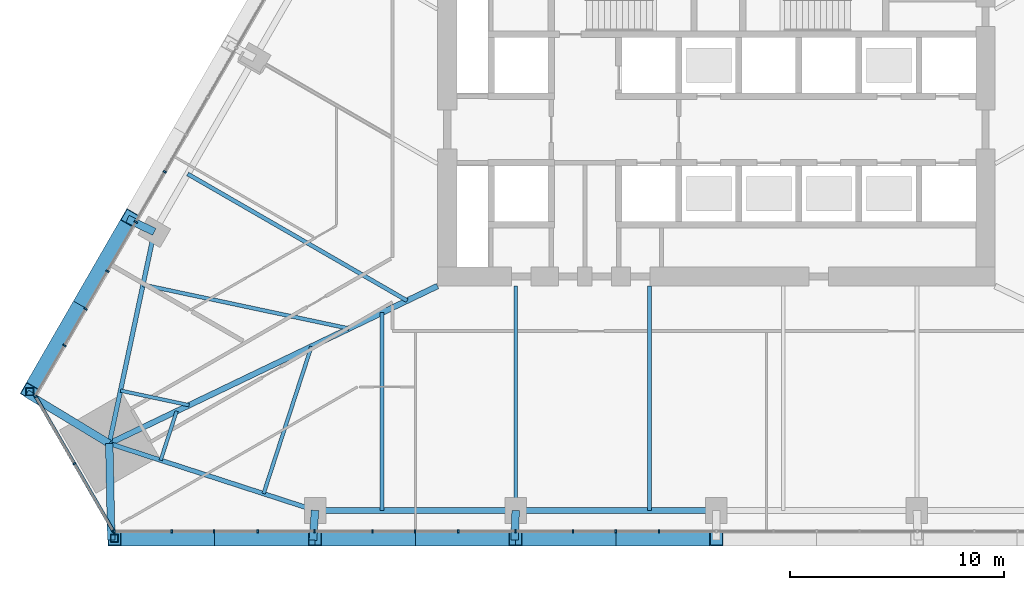
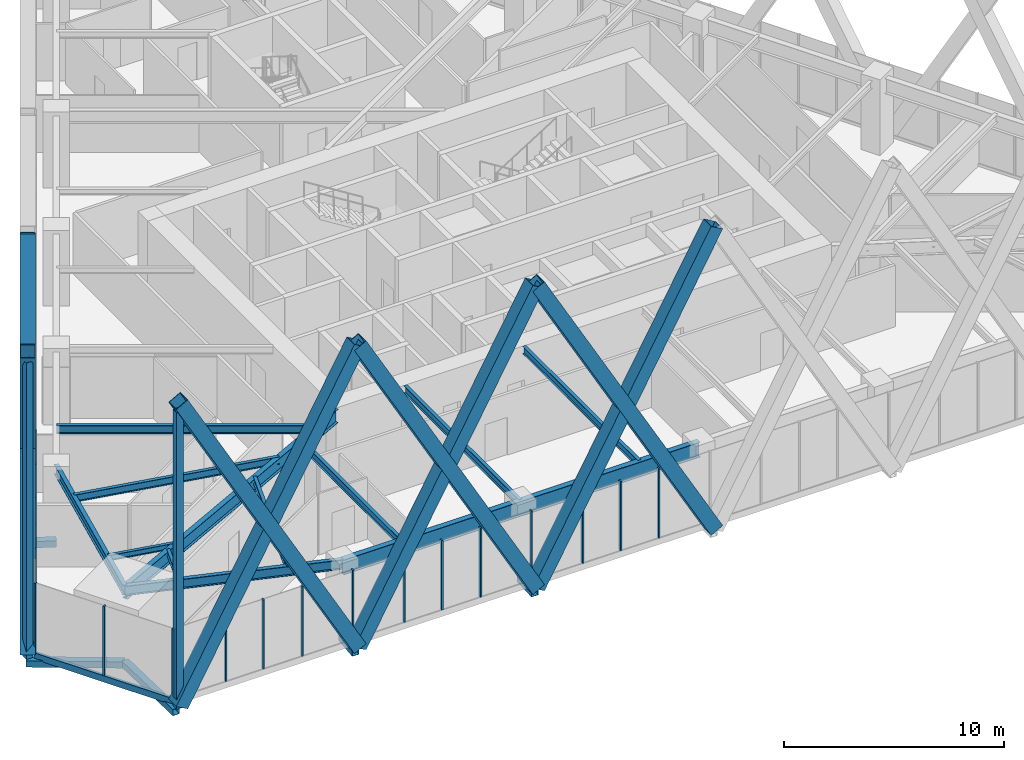
# One storey, part 2 of 21: 36 members, 12 beams, 3 elements without a shape of their own.
"""IFC4 building model written with IfcOpenShell, lengths in metres."""

from ifc_helpers import new_model, si_unit, direction, frame, origin, origin_2d, place, context, subcontext, project, spatial, rectangle, hollow_rectangle, i_section, extrude, material, layer, layer_set, material_profile, profile_set, type_object, element, aggregate, save


model = new_model("IFC4")

# Units and contexts
model_context = context("Model", 3, precision=1e-05, world=origin(), true_north=direction((0.0, 1.0)))
body_context = subcontext(model_context, "Body", "Model", "MODEL_VIEW")
ifc_project = project(units=[si_unit("LENGTHUNIT", "METRE"), si_unit("AREAUNIT", "SQUARE_METRE"), si_unit("VOLUMEUNIT", "CUBIC_METRE"), si_unit("PLANEANGLEUNIT", "RADIAN"), si_unit("MASSUNIT", "GRAM", prefix="KILO")], contexts=[model_context])

# Site, building, storey
site_placement = place(None, origin())
site = spatial("IfcSite", under=ifc_project, at=site_placement, CompositionType="ELEMENT")
building_placement = place(site_placement, origin())
building = spatial("IfcBuilding", under=site, at=building_placement, Name="Firuza Gate Tower and Library", CompositionType="ELEMENT")
storey_placement = place(building_placement, frame((0.0, 0.0, 107.199951171875)))
storey = spatial("IfcBuildingStorey", under=building, at=storey_placement, Name="L24", CompositionType="ELEMENT", Elevation=107.199951171875)

# Members
ifc_material_1 = material(Name="Steel S355", Category="steel")
ifc_material_profile_1 = material_profile(ifc_material_1, hollow_rectangle(XDim=0.699951171875, YDim=0.699951171875, WallThickness=0.030029296875, at=origin_2d()))
ifc_profile_set_1 = profile_set([ifc_material_profile_1], Name="Steel S355")
member_type_1 = type_object("IfcMemberType", Name="BU700x700x30 Lattice brace", PredefinedType="BRACE", material=ifc_profile_set_1)
for number, where, z_axis, x_axis, name in (
    (1, (46.937255859375, 54.2412109375, 0.0), (0.486472786764, 0.0, 0.873695729495), (0.0, 1.0, 0.0), "Lattice brace S 5.1R"),
    (2, (56.29150390625, 54.2412109375, 0.0), (-0.486472786764, 0.0, 0.873695729495), (0.0, -1.0, 0.0), "Lattice brace S 5.1L"),
    (3, (56.29150390625, 54.2412109375, 0.0), (0.486472786764, 0.0, 0.873695729495), (0.0, 1.0, 0.0), "Lattice brace S 5.2R"),
    (4, (65.645751953125, 54.2412109375, 0.0), (-0.486472786764, 0.0, 0.873695729495), (0.0, -1.0, 0.0), "Lattice brace S 5.2L"),
    (5, (65.645751953125, 54.2412109375, 0.0), (0.486472786764, 0.0, 0.873695729495), (0.0, 1.0, 0.0), "Lattice brace S 5.3R"),
    (6, (75.0, 54.2412109375, 0.0), (-0.486472786764, 0.0, 0.873695729495), (0.0, -1.0, 0.0), "Lattice brace S 5.3L"),
    (7, (47.66796875, 69.177490234375, 0.0), (-0.243230112725, -0.421300913528, 0.873695972593), (0.866032598532, -0.499987538125, 0.0), "Lattice brace W 5.6R"),
    (8, (42.990966796875, 61.076416015625, 0.0), (0.243230112725, 0.421300913528, 0.873695972593), (-0.866032598532, 0.499987538125, 0.0), "Lattice brace W 5.6L"),
):
    element("IfcMember", number, at=place(storey_placement, frame(where, z_axis=z_axis, x_axis=x_axis)), inside=storey, type_object=member_type_1, Name=name, PredefinedType="BRACE", context=body_context, shape_type="SweptSolid", body=[
        extrude(hollow_rectangle(XDim=0.699951171875, YDim=0.699951171875, WallThickness=0.030029296875, at=origin_2d()), origin(), (0.0, 0.0, 1.0), 19.228759765625),
    ])

# Curtain wall, members
ifc_material_2 = material(Name="Aluminium 6063-T6", Category="aluminium")
ifc_layer_1 = layer(ifc_material_2, 0.14990234375)
ifc_layer_set_1 = layer_set([ifc_layer_1], Name="Unitised curtain wall, offices")
curtain_wall_type_1 = type_object("IfcCurtainWallType", Name="Unitised curtain wall, offices", PredefinedType="NOTDEFINED", material=ifc_layer_set_1)
placement = place(storey_placement, origin())
curtain_wall_1 = element("IfcCurtainWall", 9, at=placement, inside=storey, type_object=curtain_wall_type_1, Name="CW1 L24 S face", PredefinedType="NOTDEFINED")
ifc_material_3 = material(Name="Aluminium 6063-T6", Category="aluminium")
ifc_material_profile_2 = material_profile(ifc_material_3, rectangle(XDim=0.14990234375, YDim=0.080078125, at=origin_2d()))
ifc_profile_set_2 = profile_set([ifc_material_profile_2], Name="Aluminium 6063-T6")
member_type_2 = type_object("IfcMemberType", Name="Curtain wall mullion 80x150", PredefinedType="MULLION", material=ifc_profile_set_2)
member_1_placement = place(storey_placement, frame((46.93408203125, 54.566162109375, 0.150146484375), z_axis=(0.0, 0.0, 1.0), x_axis=(0.0, 1.0, 0.0)))
member_1 = element("IfcMember", 10, at=member_1_placement, type_object=member_type_2, Name="Mullion", PredefinedType="MULLION", context=body_context, shape_type="SweptSolid", body=[
    extrude(rectangle(XDim=0.14990234375, YDim=0.080078125, at=origin_2d()), origin(), (0.0, 0.0, 1.0), 3.849853515625),
])
member_2_placement = place(storey_placement, frame((51.578369140625, 54.566162109375, 0.150146484375), z_axis=(0.0, 0.0, 1.0), x_axis=(0.0, 1.0, 0.0)))
member_2 = element("IfcMember", 11, at=member_2_placement, type_object=member_type_2, Name="Mullion", PredefinedType="MULLION", context=body_context, shape_type="SweptSolid", body=[
    extrude(rectangle(XDim=0.14990234375, YDim=0.080078125, at=origin_2d()), origin(), (0.0, 0.0, 1.0), 3.849853515625),
])
member_3_placement = place(storey_placement, frame((56.2626953125, 54.566162109375, 0.150146484375), z_axis=(0.0, 0.0, 1.0), x_axis=(0.0, 1.0, 0.0)))
member_3 = element("IfcMember", 12, at=member_3_placement, type_object=member_type_2, Name="Mullion", PredefinedType="MULLION", context=body_context, shape_type="SweptSolid", body=[
    extrude(rectangle(XDim=0.14990234375, YDim=0.080078125, at=origin_2d()), origin(), (0.0, 0.0, 1.0), 3.849853515625),
])
member_4_placement = place(storey_placement, frame((60.947021484375, 54.566162109375, 0.150146484375), z_axis=(0.0, 0.0, 1.0), x_axis=(0.0, 1.0, 0.0)))
member_4 = element("IfcMember", 13, at=member_4_placement, type_object=member_type_2, Name="Mullion", PredefinedType="MULLION", context=body_context, shape_type="SweptSolid", body=[
    extrude(rectangle(XDim=0.14990234375, YDim=0.080078125, at=origin_2d()), origin(), (0.0, 0.0, 1.0), 3.849853515625),
])
member_5_placement = place(storey_placement, frame((65.63134765625, 54.566162109375, 0.150146484375), z_axis=(0.0, 0.0, 1.0), x_axis=(0.0, 1.0, 0.0)))
member_5 = element("IfcMember", 14, at=member_5_placement, type_object=member_type_2, Name="Mullion", PredefinedType="MULLION", context=body_context, shape_type="SweptSolid", body=[
    extrude(rectangle(XDim=0.14990234375, YDim=0.080078125, at=origin_2d()), origin(), (0.0, 0.0, 1.0), 3.849853515625),
])
member_6_placement = place(storey_placement, frame((70.315673828125, 54.566162109375, 0.150146484375), z_axis=(0.0, 0.0, 1.0), x_axis=(0.0, 1.0, 0.0)))
member_6 = element("IfcMember", 15, at=member_6_placement, type_object=member_type_2, Name="Mullion", PredefinedType="MULLION", context=body_context, shape_type="SweptSolid", body=[
    extrude(rectangle(XDim=0.14990234375, YDim=0.080078125, at=origin_2d()), origin(), (0.0, 0.0, 1.0), 3.849853515625),
])
member_7_placement = place(storey_placement, frame((49.610107421875, 54.566162109375, 0.150146484375), z_axis=(0.0, 0.0, 1.0), x_axis=(0.0, 1.0, 0.0)))
member_7 = element("IfcMember", 16, at=member_7_placement, type_object=member_type_2, Name="Mullion", PredefinedType="MULLION", context=body_context, shape_type="SweptSolid", body=[
    extrude(rectangle(XDim=0.14990234375, YDim=0.080078125, at=origin_2d()), origin(), (0.0, 0.0, 1.0), 3.849853515625),
])
member_8_placement = place(storey_placement, frame((53.618896484375, 54.566162109375, 0.150146484375), z_axis=(0.0, 0.0, 1.0), x_axis=(0.0, 1.0, 0.0)))
member_8 = element("IfcMember", 17, at=member_8_placement, type_object=member_type_2, Name="Mullion", PredefinedType="MULLION", context=body_context, shape_type="SweptSolid", body=[
    extrude(rectangle(XDim=0.14990234375, YDim=0.080078125, at=origin_2d()), origin(), (0.0, 0.0, 1.0), 3.849853515625),
])
member_9_placement = place(storey_placement, frame((58.96435546875, 54.566162109375, 0.150146484375), z_axis=(0.0, 0.0, 1.0), x_axis=(0.0, 1.0, 0.0)))
member_9 = element("IfcMember", 18, at=member_9_placement, type_object=member_type_2, Name="Mullion", PredefinedType="MULLION", context=body_context, shape_type="SweptSolid", body=[
    extrude(rectangle(XDim=0.14990234375, YDim=0.080078125, at=origin_2d()), origin(), (0.0, 0.0, 1.0), 3.849853515625),
])
member_10_placement = place(storey_placement, frame((62.972900390625, 54.566162109375, 0.150146484375), z_axis=(0.0, 0.0, 1.0), x_axis=(0.0, 1.0, 0.0)))
member_10 = element("IfcMember", 19, at=member_10_placement, type_object=member_type_2, Name="Mullion", PredefinedType="MULLION", context=body_context, shape_type="SweptSolid", body=[
    extrude(rectangle(XDim=0.14990234375, YDim=0.080078125, at=origin_2d()), origin(), (0.0, 0.0, 1.0), 3.849853515625),
])
member_11_placement = place(storey_placement, frame((68.318603515625, 54.566162109375, 0.150146484375), z_axis=(0.0, 0.0, 1.0), x_axis=(0.0, 1.0, 0.0)))
member_11 = element("IfcMember", 20, at=member_11_placement, type_object=member_type_2, Name="Mullion", PredefinedType="MULLION", context=body_context, shape_type="SweptSolid", body=[
    extrude(rectangle(XDim=0.14990234375, YDim=0.080078125, at=origin_2d()), origin(), (0.0, 0.0, 1.0), 3.849853515625),
])
member_12_placement = place(storey_placement, frame((72.3271484375, 54.566162109375, 0.150146484375), z_axis=(0.0, 0.0, 1.0), x_axis=(0.0, 1.0, 0.0)))
member_12 = element("IfcMember", 21, at=member_12_placement, type_object=member_type_2, Name="Mullion", PredefinedType="MULLION", context=body_context, shape_type="SweptSolid", body=[
    extrude(rectangle(XDim=0.14990234375, YDim=0.080078125, at=origin_2d()), origin(), (0.0, 0.0, 1.0), 3.849853515625),
])
aggregate(curtain_wall_1, [member_1, member_2, member_3, member_4, member_5, member_6, member_7, member_8, member_9, member_10, member_11, member_12])

curtain_wall_2 = element("IfcCurtainWall", 22, at=placement, inside=storey, type_object=curtain_wall_type_1, Name="CW1 L24 W face", PredefinedType="NOTDEFINED")
member_13_placement = place(storey_placement, frame((47.93505859375, 68.989990234375, 0.150146484375), z_axis=(0.0, 0.0, 1.0), x_axis=(0.866025403784, -0.5, 0.0)))
member_13 = element("IfcMember", 23, at=member_13_placement, type_object=member_type_2, Name="Mullion", PredefinedType="MULLION", context=body_context, shape_type="SweptSolid", body=[
    extrude(rectangle(XDim=0.14990234375, YDim=0.080078125, at=origin_2d()), origin(), (0.0, 0.0, 1.0), 3.849853515625),
])
member_14_placement = place(storey_placement, frame((45.593017578125, 64.933349609375, 0.150146484375), z_axis=(0.0, 0.0, 1.0), x_axis=(0.866025403784, -0.5, 0.0)))
member_14 = element("IfcMember", 24, at=member_14_placement, type_object=member_type_2, Name="Mullion", PredefinedType="MULLION", context=body_context, shape_type="SweptSolid", body=[
    extrude(rectangle(XDim=0.14990234375, YDim=0.080078125, at=origin_2d()), origin(), (0.0, 0.0, 1.0), 3.849853515625),
])
member_15_placement = place(storey_placement, frame((49.285888671875, 71.32958984375, 0.150146484375), z_axis=(0.0, 0.0, 1.0), x_axis=(0.866025403784, -0.5, 0.0)))
member_15 = element("IfcMember", 25, at=member_15_placement, type_object=member_type_2, Name="Mullion", PredefinedType="MULLION", context=body_context, shape_type="SweptSolid", body=[
    extrude(rectangle(XDim=0.14990234375, YDim=0.080078125, at=origin_2d()), origin(), (0.0, 0.0, 1.0), 3.849853515625),
])
member_16_placement = place(storey_placement, frame((46.613037109375, 66.7001953125, 0.150146484375), z_axis=(0.0, 0.0, 1.0), x_axis=(0.866025403784, -0.5, 0.0)))
member_16 = element("IfcMember", 26, at=member_16_placement, type_object=member_type_2, Name="Mullion", PredefinedType="MULLION", context=body_context, shape_type="SweptSolid", body=[
    extrude(rectangle(XDim=0.14990234375, YDim=0.080078125, at=origin_2d()), origin(), (0.0, 0.0, 1.0), 3.849853515625),
])
member_17_placement = place(storey_placement, frame((44.60888671875, 63.228759765625, 0.150146484375), z_axis=(0.0, 0.0, 1.0), x_axis=(0.866025403784, -0.5, 0.0)))
member_17 = element("IfcMember", 27, at=member_17_placement, type_object=member_type_2, Name="Mullion", PredefinedType="MULLION", context=body_context, shape_type="SweptSolid", body=[
    extrude(rectangle(XDim=0.14990234375, YDim=0.080078125, at=origin_2d()), origin(), (0.0, 0.0, 1.0), 3.849853515625),
])
aggregate(curtain_wall_2, [member_13, member_14, member_15, member_16, member_17])

ifc_material_4 = material(Name="Aluminium 6063-T6", Category="aluminium")
ifc_layer_2 = layer(ifc_material_4, 0.14990234375)
ifc_layer_set_2 = layer_set([ifc_layer_2], Name="Corner curtain wall, chamfers")
curtain_wall_type_2 = type_object("IfcCurtainWallType", Name="Corner curtain wall, chamfers", PredefinedType="NOTDEFINED", material=ifc_layer_set_2)
curtain_wall_3 = element("IfcCurtainWall", 28, at=placement, inside=storey, type_object=curtain_wall_type_2, Name="CW4 L24 SW corner", PredefinedType="NOTDEFINED")
member_18_placement = place(storey_placement, frame((43.270751953125, 60.841796875, 0.150146484375), z_axis=(0.0, 0.0, 1.0), x_axis=(0.866025403784, 0.5, 0.0)))
member_18 = element("IfcMember", 29, at=member_18_placement, type_object=member_type_2, Name="Mullion", PredefinedType="MULLION", context=body_context, shape_type="SweptSolid", body=[
    extrude(rectangle(XDim=0.14990234375, YDim=0.080078125, at=origin_2d()), origin(), (0.0, 0.0, 1.0), 3.849853515625),
])
member_19_placement = place(storey_placement, frame((45.072509765625, 57.72119140625, 0.150146484375), z_axis=(0.0, 0.0, 1.0), x_axis=(0.866025403784, 0.5, 0.0)))
member_19 = element("IfcMember", 30, at=member_19_placement, type_object=member_type_2, Name="Mullion", PredefinedType="MULLION", context=body_context, shape_type="SweptSolid", body=[
    extrude(rectangle(XDim=0.14990234375, YDim=0.080078125, at=origin_2d()), origin(), (0.0, 0.0, 1.0), 3.849853515625),
])
member_20_placement = place(storey_placement, frame((46.8740234375, 54.600830078125, 0.150146484375), z_axis=(0.0, 0.0, 1.0), x_axis=(0.866025403784, 0.5, 0.0)))
member_20 = element("IfcMember", 31, at=member_20_placement, type_object=member_type_2, Name="Mullion", PredefinedType="MULLION", context=body_context, shape_type="SweptSolid", body=[
    extrude(rectangle(XDim=0.14990234375, YDim=0.080078125, at=origin_2d()), origin(), (0.0, 0.0, 1.0), 3.849853515625),
])
ifc_material_5 = material(Name="Aluminium 6063-T6", Category="aluminium")
ifc_material_profile_3 = material_profile(ifc_material_5, rectangle(XDim=0.14990234375, YDim=0.35009765625, at=origin_2d()))
ifc_profile_set_3 = profile_set([ifc_material_profile_3], Name="Aluminium 6063-T6")
member_type_3 = type_object("IfcMemberType", Name="Curtain wall transom 350x150", PredefinedType="USERDEFINED", material=ifc_profile_set_3)
member_21_placement = place(storey_placement, frame((43.250732421875, 60.87646484375, -0.02490234375), z_axis=(0.500005719219, -0.866022101766, 0.0), x_axis=(0.866022101766, 0.500005719219, 0.0)))
member_21 = element("IfcMember", 32, at=member_21_placement, type_object=member_type_3, Name="Transom", ObjectType="TRANSOM", PredefinedType="USERDEFINED", context=body_context, shape_type="SweptSolid", body=[
    extrude(rectangle(XDim=0.14990234375, YDim=0.35009765625, at=origin_2d()), origin(), (0.0, 0.0, 1.0), 7.28662109375),
])
aggregate(curtain_wall_3, [member_18, member_19, member_20, member_21])

# Members
ifc_material_6 = material(Name="Steel S355", Category="steel")
ifc_material_profile_4 = material_profile(ifc_material_6, hollow_rectangle(XDim=0.355712890625, YDim=0.355712890625, WallThickness=0.014892578125, at=origin_2d()))
ifc_profile_set_4 = profile_set([ifc_material_profile_4], Name="Steel S355")
member_type_4 = type_object("IfcMemberType", Name="HSS356x356x16 Lattice corner stile", PredefinedType="BRACE", material=ifc_profile_set_4)
for number, where, z_axis, x_axis, name in (
    (33, (46.937255859375, 54.2412109375, -0.139892578125), (0.0, 0.0, 1.0), (1.0, 0.0, 0.0), "Lattice corner stile S 5.A"),
    (34, (42.990966796875, 61.076416015625, -0.139892578125), (0.0, 0.0, 1.0), (1.0, 0.0, 0.0), "Lattice corner stile W 5.B"),
):
    element("IfcMember", number, at=place(storey_placement, frame(where, z_axis=z_axis, x_axis=x_axis)), inside=storey, type_object=member_type_4, Name=name, PredefinedType="BRACE", context=body_context, shape_type="SweptSolid", body=[
        extrude(hollow_rectangle(XDim=0.355712890625, YDim=0.355712890625, WallThickness=0.014892578125, at=origin_2d()), origin(), (0.0, 0.0, 1.0), 16.43994140625),
    ])
ifc_material_7 = material(Name="Steel S355", Category="steel")
ifc_material_profile_5 = material_profile(ifc_material_7, hollow_rectangle(XDim=0.355712890625, YDim=0.355712890625, WallThickness=0.014892578125, at=origin_2d()))
ifc_profile_set_5 = profile_set([ifc_material_profile_5], Name="Steel S355")
member_type_5 = type_object("IfcMemberType", Name="HSS356x356x16 Lattice node tie", PredefinedType="BRACE", material=ifc_profile_set_5)
member_22_placement = place(storey_placement, frame((46.6962890625, 58.65869140625, -0.320068359375), z_axis=(0.020762210124, -0.999784442083, 0.0), x_axis=(0.999784442083, 0.020762210124, 0.0)))
element("IfcMember", 35, at=member_22_placement, inside=storey, type_object=member_type_5, Name="Lattice node tie S L24 92", PredefinedType="BRACE", context=body_context, shape_type="SweptSolid", body=[
    extrude(hollow_rectangle(XDim=0.355712890625, YDim=0.355712890625, WallThickness=0.014892578125, at=origin_2d()), origin(), (0.0, 0.0, 1.0), 4.503662109375),
])
member_23_placement = place(storey_placement, frame((56.29150390625, 55.541015625, -0.320068359375), z_axis=(-0.070684731161, -0.997498706155, 0.0), x_axis=(0.997498706155, -0.070684731161, 0.0)))
element("IfcMember", 36, at=member_23_placement, inside=storey, type_object=member_type_5, Name="Lattice node tie S L24 93", PredefinedType="BRACE", context=body_context, shape_type="SweptSolid", body=[
    extrude(hollow_rectangle(XDim=0.355712890625, YDim=0.355712890625, WallThickness=0.014892578125, at=origin_2d()), origin(), (0.0, 0.0, 1.0), 1.388427734375),
])
member_24_placement = place(storey_placement, frame((65.645751953125, 55.541015625, -0.320068359375), z_axis=(-0.035408770577, -0.999372912864, 0.0), x_axis=(0.999372912864, -0.035408770577, 0.0)))
element("IfcMember", 37, at=member_24_placement, inside=storey, type_object=member_type_5, Name="Lattice node tie S L24 94", PredefinedType="BRACE", context=body_context, shape_type="SweptSolid", body=[
    extrude(hollow_rectangle(XDim=0.355712890625, YDim=0.355712890625, WallThickness=0.014892578125, at=origin_2d()), origin(), (0.0, 0.0, 1.0), 1.385986328125),
])
member_25_placement = place(storey_placement, frame((46.6962890625, 58.65869140625, -0.320068359375), z_axis=(-0.855419817964, 0.517935261431, 0.0), x_axis=(-0.517935261431, -0.855419817964, 0.0)))
element("IfcMember", 38, at=member_25_placement, inside=storey, type_object=member_type_5, Name="Lattice node tie W L24 99", PredefinedType="BRACE", context=body_context, shape_type="SweptSolid", body=[
    extrude(hollow_rectangle(XDim=0.355712890625, YDim=0.355712890625, WallThickness=0.014892578125, at=origin_2d()), origin(), (0.0, 0.0, 1.0), 4.50390625),
])
member_26_placement = place(storey_placement, frame((48.7939453125, 68.527587890625, -0.320068359375), z_axis=(-0.899261255938, 0.437411926642, 0.0), x_axis=(-0.437411926642, -0.899261255938, 0.0)))
element("IfcMember", 39, at=member_26_placement, inside=storey, type_object=member_type_5, Name="Lattice node tie W L24 100", PredefinedType="BRACE", context=body_context, shape_type="SweptSolid", body=[
    extrude(hollow_rectangle(XDim=0.355712890625, YDim=0.355712890625, WallThickness=0.014892578125, at=origin_2d()), origin(), (0.0, 0.0, 1.0), 1.388671875),
])

# Beams
ifc_material_8 = material(Name="Steel S355", Category="steel")
ifc_material_profile_6 = material_profile(ifc_material_8, i_section(OverallWidth=0.1650390625, OverallDepth=0.31005859375, WebThickness=0.005859375, FlangeThickness=0.009765625, at=origin_2d()))
ifc_profile_set_6 = profile_set([ifc_material_profile_6], Name="Steel S355")
beam_type_1 = type_object("IfcBeamType", Name="W310x39 Floor beam", PredefinedType="JOIST", material=ifc_profile_set_6)
beam_1_placement = place(storey_placement, frame((47.220703125, 61.1259765625, 3.844970703125), z_axis=(0.97813855531, -0.207954241639, 0.0), x_axis=(0.207954241639, 0.97813855531, 0.0)))
element("IfcBeam", 40, at=beam_1_placement, inside=storey, type_object=beam_type_1, Name="Floor beam L24 s01", PredefinedType="JOIST", context=body_context, shape_type="SweptSolid", body=[
    extrude(i_section(OverallWidth=0.1650390625, OverallDepth=0.31005859375, WebThickness=0.005859375, FlangeThickness=0.009765625, at=origin_2d()), origin(), (0.0, 0.0, 1.0), 3.27197265625),
])
beam_2_placement = place(storey_placement, frame((49.094970703125, 57.87939453125, 3.844970703125), z_axis=(0.308998819995, 0.951062421317, 0.0), x_axis=(-0.951062421317, 0.308998819995, 0.0)))
element("IfcBeam", 41, at=beam_2_placement, inside=storey, type_object=beam_type_1, Name="Floor beam L24 s10", PredefinedType="JOIST", context=body_context, shape_type="SweptSolid", body=[
    extrude(i_section(OverallWidth=0.1650390625, OverallDepth=0.31005859375, WebThickness=0.005859375, FlangeThickness=0.009765625, at=origin_2d()), origin(), (0.0, 0.0, 1.0), 2.404296875),
])
ifc_material_9 = material(Name="Steel S355", Category="steel")
ifc_material_profile_7 = material_profile(ifc_material_9, i_section(OverallWidth=0.1708984375, OverallDepth=0.35498046875, WebThickness=0.007080078125, FlangeThickness=0.01171875, at=origin_2d()))
ifc_profile_set_7 = profile_set([ifc_material_profile_7], Name="Steel S355")
beam_type_2 = type_object("IfcBeamType", Name="W360x51 Floor beam", PredefinedType="JOIST", material=ifc_profile_set_7)
beam_3_placement = place(storey_placement, frame((53.892822265625, 56.320556640625, 3.822509765625), z_axis=(0.309008767466, 0.951059189341, 0.0), x_axis=(-0.951059189341, 0.309008767466, 0.0)))
element("IfcBeam", 42, at=beam_3_placement, inside=storey, type_object=beam_type_2, Name="Floor beam L24 s11", PredefinedType="JOIST", context=body_context, shape_type="SweptSolid", body=[
    extrude(i_section(OverallWidth=0.1708984375, OverallDepth=0.35498046875, WebThickness=0.007080078125, FlangeThickness=0.01171875, at=origin_2d()), origin(), (0.0, 0.0, 1.0), 7.212646484375),
])
ifc_material_10 = material(Name="Steel S355", Category="steel")
ifc_material_profile_8 = material_profile(ifc_material_10, i_section(OverallWidth=0.177978515625, OverallDepth=0.406982421875, WebThickness=0.0078125, FlangeThickness=0.0126953125, at=origin_2d()))
ifc_profile_set_8 = profile_set([ifc_material_profile_8], Name="Steel S355")
beam_type_3 = type_object("IfcBeamType", Name="W410x60 Floor beam", PredefinedType="JOIST", material=ifc_profile_set_8)
beam_4_placement = place(storey_placement, frame((48.26953125, 66.060302734375, 3.796630859375), z_axis=(0.978144689505, -0.207925386601, 0.0), x_axis=(0.207925386601, 0.978144689505, 0.0)))
element("IfcBeam", 43, at=beam_4_placement, inside=storey, type_object=beam_type_3, Name="Floor beam L24 s00", PredefinedType="JOIST", context=body_context, shape_type="SweptSolid", body=[
    extrude(i_section(OverallWidth=0.177978515625, OverallDepth=0.406982421875, WebThickness=0.0078125, FlangeThickness=0.0126953125, at=origin_2d()), origin(), (0.0, 0.0, 1.0), 9.816162109375),
])
beam_5_placement = place(storey_placement, frame((59.40966796875, 55.541015625, 3.796630859375), z_axis=(0.0, 1.0, 0.0), x_axis=(-1.0, 0.0, 0.0)))
element("IfcBeam", 44, at=beam_5_placement, inside=storey, type_object=beam_type_3, Name="Floor beam L24 s20", PredefinedType="JOIST", context=body_context, shape_type="SweptSolid", body=[
    extrude(i_section(OverallWidth=0.177978515625, OverallDepth=0.406982421875, WebThickness=0.0078125, FlangeThickness=0.0126953125, at=origin_2d()), origin(), (0.0, 0.0, 1.0), 9.21630859375),
])
for number, where, z_axis, x_axis, name in (
    (45, (65.645751953125, 55.541015625, 3.796630859375), (0.0, 1.0, 0.0), (-1.0, 0.0, 0.0), "Floor beam L24 s21"),
    (46, (71.8818359375, 55.541015625, 3.796630859375), (0.0, 1.0, 0.0), (-1.0, 0.0, 0.0), "Floor beam L24 s22"),
):
    element("IfcBeam", number, at=place(storey_placement, frame(where, z_axis=z_axis, x_axis=x_axis)), inside=storey, type_object=beam_type_3, Name=name, PredefinedType="JOIST", context=body_context, shape_type="SweptSolid", body=[
        extrude(i_section(OverallWidth=0.177978515625, OverallDepth=0.406982421875, WebThickness=0.0078125, FlangeThickness=0.0126953125, at=origin_2d()), origin(), (0.0, 0.0, 1.0), 10.458984375),
    ])
ifc_material_11 = material(Name="Steel S355", Category="steel")
ifc_material_profile_9 = material_profile(ifc_material_11, i_section(OverallWidth=0.18994140625, OverallDepth=0.45703125, WebThickness=0.009033203125, FlangeThickness=0.014404296875, at=origin_2d()))
ifc_profile_set_9 = profile_set([ifc_material_profile_9], Name="Steel S355")
beam_type_4 = type_object("IfcBeamType", Name="W460x74 Floor beam", PredefinedType="JOIST", material=ifc_profile_set_9)
beam_6_placement = place(storey_placement, frame((50.35302734375, 71.227783203125, 3.771484375), z_axis=(0.866025562448, -0.499999725187, 0.0), x_axis=(0.499999725187, 0.866025562448, 0.0)))
element("IfcBeam", 47, at=beam_6_placement, inside=storey, type_object=beam_type_4, Name="Floor beam L24 s85", PredefinedType="JOIST", context=body_context, shape_type="SweptSolid", body=[
    extrude(i_section(OverallWidth=0.18994140625, OverallDepth=0.45703125, WebThickness=0.009033203125, FlangeThickness=0.014404296875, at=origin_2d()), origin(), (0.0, 0.0, 1.0), 11.81396484375),
])
ifc_material_12 = material(Name="Steel S355", Category="steel")
ifc_material_profile_10 = material_profile(ifc_material_12, i_section(OverallWidth=0.212890625, OverallDepth=0.5390625, WebThickness=0.01171875, FlangeThickness=0.018798828125, at=origin_2d()))
ifc_profile_set_10 = profile_set([ifc_material_profile_10], Name="Steel S355")
beam_type_5 = type_object("IfcBeamType", Name="W530x109 Edge beam", PredefinedType="SPANDREL", material=ifc_profile_set_10)
beam_7_placement = place(storey_placement, frame((48.7939453125, 68.527587890625, 3.73046875), z_axis=(-0.207907664892, -0.978148456462, 0.0), x_axis=(0.978148456462, -0.207907664892, 0.0)))
element("IfcBeam", 48, at=beam_7_placement, inside=storey, type_object=beam_type_5, Name="Edge beam L24 e00", PredefinedType="SPANDREL", context=body_context, shape_type="SweptSolid", body=[
    extrude(i_section(OverallWidth=0.212890625, OverallDepth=0.5390625, WebThickness=0.01171875, FlangeThickness=0.018798828125, at=origin_2d()), origin(), (0.0, 0.0, 1.0), 10.08935546875),
])
beam_8_placement = place(storey_placement, frame((46.6962890625, 58.65869140625, 3.73046875), z_axis=(0.951056472923, -0.309017127862, 0.0), x_axis=(0.309017127862, 0.951056472923, 0.0)))
element("IfcBeam", 49, at=beam_8_placement, inside=storey, type_object=beam_type_5, Name="Edge beam L24 e10", PredefinedType="SPANDREL", context=body_context, shape_type="SweptSolid", body=[
    extrude(i_section(OverallWidth=0.212890625, OverallDepth=0.5390625, WebThickness=0.01171875, FlangeThickness=0.018798828125, at=origin_2d()), origin(), (0.0, 0.0, 1.0), 10.089111328125),
])
ifc_material_13 = material(Name="Steel S355", Category="steel")
ifc_material_profile_11 = material_profile(ifc_material_13, i_section(OverallWidth=0.264892578125, OverallDepth=0.7529296875, WebThickness=0.01318359375, FlangeThickness=0.01708984375, at=origin_2d()))
ifc_profile_set_11 = profile_set([ifc_material_profile_11], Name="Steel S355")
beam_type_6 = type_object("IfcBeamType", Name="W760x147 Girder", PredefinedType="BEAM", material=ifc_profile_set_11)
beam_9_placement = place(storey_placement, frame((46.6962890625, 58.65869140625, 3.62353515625), z_axis=(0.901625831299, 0.43251689023, 0.0), x_axis=(-0.43251689023, 0.901625831299, 0.0)))
element("IfcBeam", 50, at=beam_9_placement, inside=storey, type_object=beam_type_6, Name="Girder L24 gSW", PredefinedType="BEAM", context=body_context, shape_type="SweptSolid", body=[
    extrude(i_section(OverallWidth=0.264892578125, OverallDepth=0.7529296875, WebThickness=0.01318359375, FlangeThickness=0.01708984375, at=origin_2d()), origin(), (0.0, 0.0, 1.0), 16.973388671875),
])
ifc_material_14 = material(Name="Steel S355", Category="steel")
ifc_material_profile_12 = material_profile(ifc_material_14, i_section(OverallWidth=0.2919921875, OverallDepth=0.8349609375, WebThickness=0.013916015625, FlangeThickness=0.018798828125, at=origin_2d()))
ifc_profile_set_12 = profile_set([ifc_material_profile_12], Name="Steel S355")
beam_type_7 = type_object("IfcBeamType", Name="W840x176 Edge beam", PredefinedType="SPANDREL", material=ifc_profile_set_12)
beam_10_placement = place(storey_placement, frame((56.29150390625, 55.541015625, 3.58251953125), z_axis=(1.0, 0.0, 0.0), x_axis=(0.0, 1.0, 0.0)))
element("IfcBeam", 51, at=beam_10_placement, inside=storey, type_object=beam_type_7, Name="Edge beam L24 e20", PredefinedType="SPANDREL", context=body_context, shape_type="SweptSolid", body=[
    extrude(i_section(OverallWidth=0.2919921875, OverallDepth=0.8349609375, WebThickness=0.013916015625, FlangeThickness=0.018798828125, at=origin_2d()), origin(), (0.0, 0.0, 1.0), 18.70849609375),
])

save(model, "model.ifc")
